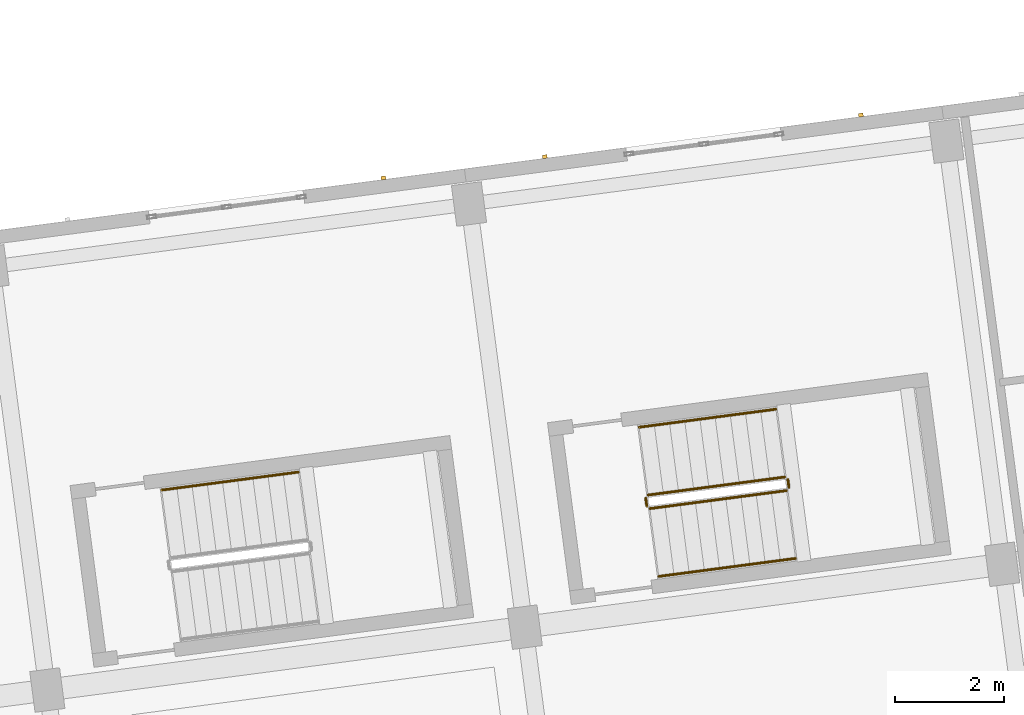
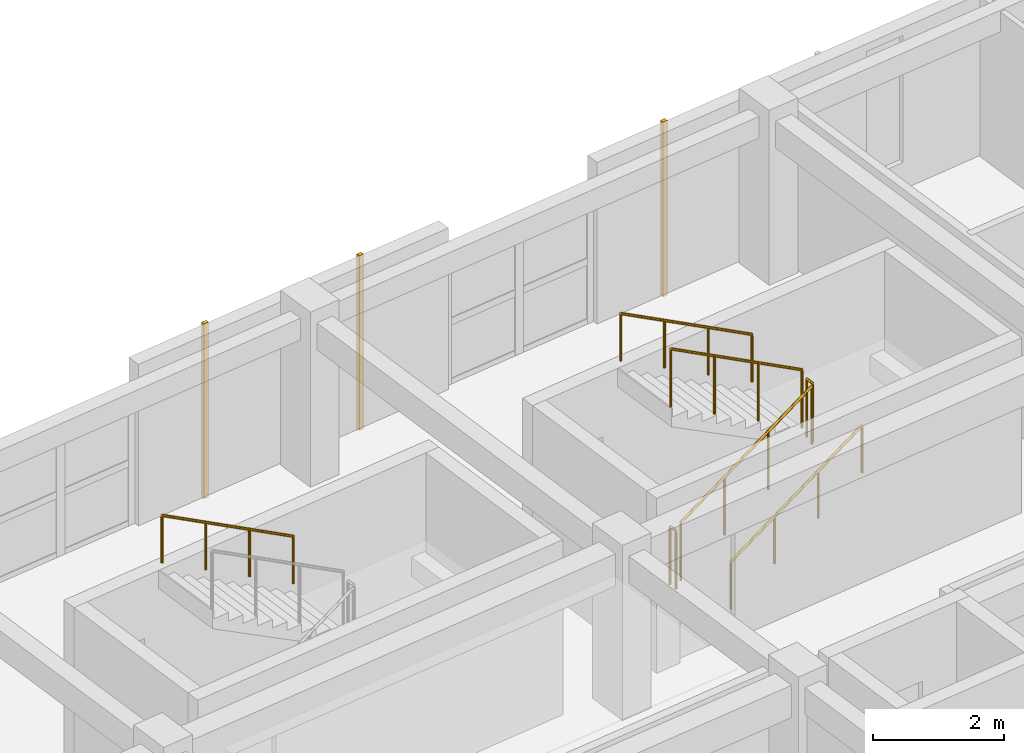
# One storey, part 107 of 127: 7 railings, 3 coverings.
"""IFC4 building model written with IfcOpenShell, lengths in metres."""

from ifc_helpers import new_model, si_unit, direction, frame, origin, origin_2d, place, context, subcontext, project, spatial, rectangle, circle, extrude, material, layer, layer_set, type_object, element, save


model = new_model("IFC4")

# Units and contexts
model_context = context("Model", 3, precision=1e-05, world=origin(), true_north=direction((0.0, 1.0)))
body_context = subcontext(model_context, "Body", "Model", "MODEL_VIEW")
ifc_project = project(units=[si_unit("LENGTHUNIT", "METRE"), si_unit("AREAUNIT", "SQUARE_METRE"), si_unit("VOLUMEUNIT", "CUBIC_METRE"), si_unit("PLANEANGLEUNIT", "RADIAN"), si_unit("MASSUNIT", "GRAM", prefix="KILO")], contexts=[model_context])

# Site, building, storey
site_placement = place(None, origin())
site = spatial("IfcSite", under=ifc_project, at=site_placement, CompositionType="ELEMENT")
building_placement = place(site_placement, origin())
building = spatial("IfcBuilding", under=site, at=building_placement, Name="Kestramere Prow Commons", CompositionType="ELEMENT")
storey_placement = place(building_placement, frame((0.0, 0.0, 8.39990234375)))
storey = spatial("IfcBuildingStorey", under=building, at=storey_placement, Name="L02", CompositionType="ELEMENT", Elevation=8.39990234375)

# Coverings
ifc_material_1 = material(Name="Weathered Zinc-Titanium Standing-Seam Cladding")
ifc_layer = layer(ifc_material_1, 0.074951171875)
ifc_layer_set = layer_set([ifc_layer], Name="Weathered Zinc-Titanium Standing-Seam Cladding")
covering_type = type_object("IfcCoveringType", Name="COV-CLAD-SEAM", PredefinedType="CLADDING", material=ifc_layer_set)
for number, where, z_axis, x_axis, name in (
    (1, (24.4755859375, 94.603759765625, -0.25), (0.0, 0.0, 1.0), (0.991444861374, 0.13052619222, 0.0), "EW-A-L02-NP-1-R Standing-Seam Rib 1"),
    (2, (27.42529296875, 94.991943359375, -0.25), (0.0, 0.0, 1.0), (0.991444861374, 0.13052619222, 0.0), "EW-A-L02-NP-2-L Standing-Seam Rib 1"),
    (3, (33.200439453125, 95.75244140625, -0.25), (0.0, 0.0, 1.0), (0.991444861374, 0.13052619222, 0.0), "EW-A-L02-NP-2-R Standing-Seam Rib 1"),
):
    element("IfcCovering", number, at=place(storey_placement, frame(where, z_axis=z_axis, x_axis=x_axis)), inside=storey, type_object=covering_type, Name=name, PredefinedType="CLADDING", context=body_context, shape_type="SweptSolid", body=[
        extrude(rectangle(XDim=0.0849609375, YDim=0.06494140625, at=origin_2d()), origin(), (0.0, 0.0, 1.0), 3.25),
    ])

# Railings
ifc_material_2 = material(Name="Galvanised Steel S275JR", Category="steel")
railing_type_1 = type_object("IfcRailingType", Name="RL-ST-GR-1100", PredefinedType="GUARDRAIL", material=ifc_material_2)
railing_1_placement = place(storey_placement, frame((29.34375, 88.559814453125, 0.16259765625)))
element("IfcRailing", 4, at=railing_1_placement, inside=storey, type_object=railing_type_1, Name="L02 ST-A2 stair guard 1", PredefinedType="GUARDRAIL", context=body_context, shape_type="SweptSolid", body=[
    extrude(circle(Radius=0.02392578125, at=origin_2d()), frame((0.0, 0.0, 1.076171875), z_axis=(0.857492745196, 0.112958098361, 0.501942885148), x_axis=(-0.130602379397, 0.991434828164, 0.0)), (0.0, 0.0, 1.0), 2.91357421875),
    extrude(circle(Radius=0.02099609375, at=origin_2d()), origin(), (0.0, 0.0, 1.0), 1.052001953125),
    extrude(circle(Radius=0.02099609375, at=origin_2d()), frame((0.832763671875, 0.109619140625, 0.487548828125)), (0.0, 0.0, 1.0), 1.052001953125),
    extrude(circle(Radius=0.02099609375, at=origin_2d()), frame((1.66552734375, 0.219482421875, 0.974853515625)), (0.0, 0.0, 1.0), 1.052001953125),
    extrude(circle(Radius=0.02099609375, at=origin_2d()), frame((2.498291015625, 0.3291015625, 1.46240234375)), (0.0, 0.0, 1.0), 1.052001953125),
])
railing_2_placement = place(storey_placement, frame((31.88525390625, 88.94482421875, 1.625)))
element("IfcRailing", 5, at=railing_2_placement, inside=storey, type_object=railing_type_1, Name="L02 ST-A2 stair guard 2", PredefinedType="GUARDRAIL", context=body_context, shape_type="SweptSolid", body=[
    extrude(circle(Radius=0.02392578125, at=origin_2d()), frame((0.0, 0.0, 1.076171875), z_axis=(-0.1300340368, 0.991509530601, 0.0), x_axis=(-0.991509530601, -0.1300340368, 0.0)), (0.0, 0.0, 1.0), 0.150146484375),
    extrude(circle(Radius=0.02099609375, at=origin_2d()), origin(), (0.0, 0.0, 1.0), 1.052001953125),
    extrude(circle(Radius=0.02099609375, at=origin_2d()), frame((-0.01953125, 0.14892578125, 0.0)), (0.0, 0.0, 1.0), 1.052001953125),
])
railing_3_placement = place(storey_placement, frame((31.8095703125, 89.13671875, 1.78759765625)))
element("IfcRailing", 6, at=railing_3_placement, inside=storey, type_object=railing_type_1, Name="L02 ST-A2 stair guard 3", PredefinedType="GUARDRAIL", context=body_context, shape_type="SweptSolid", body=[
    extrude(circle(Radius=0.02392578125, at=origin_2d()), frame((0.0, 0.0, 1.076171875), z_axis=(-0.85752303711, -0.112867259233, 0.501911568525), x_axis=(0.130494608992, -0.991449018873, 0.0)), (0.0, 0.0, 1.0), 2.91357421875),
    extrude(circle(Radius=0.02099609375, at=origin_2d()), origin(), (0.0, 0.0, 1.0), 1.052001953125),
    extrude(circle(Radius=0.02099609375, at=origin_2d()), frame((-0.832763671875, -0.109619140625, 0.487548828125)), (0.0, 0.0, 1.0), 1.052001953125),
    extrude(circle(Radius=0.02099609375, at=origin_2d()), frame((-1.665771484375, -0.21923828125, 0.974853515625)), (0.0, 0.0, 1.0), 1.052001953125),
    extrude(circle(Radius=0.02099609375, at=origin_2d()), frame((-2.49853515625, -0.328857421875, 1.46240234375)), (0.0, 0.0, 1.0), 1.052001953125),
])
railing_4_placement = place(storey_placement, frame((29.28759765625, 88.60302734375, 0.0)))
element("IfcRailing", 7, at=railing_4_placement, inside=storey, type_object=railing_type_1, Name="L02 ST-A2 stair guard 4", PredefinedType="GUARDRAIL", context=body_context, shape_type="SweptSolid", body=[
    extrude(circle(Radius=0.02392578125, at=origin_2d()), frame((0.0, 0.0, 1.076171875), z_axis=(-0.130243938252, 0.991481979941, 0.0), x_axis=(-0.991481979941, -0.130243938252, 0.0)), (0.0, 0.0, 1.0), 0.14990234375),
    extrude(circle(Radius=0.02099609375, at=origin_2d()), origin(), (0.0, 0.0, 1.0), 1.052001953125),
    extrude(circle(Radius=0.02099609375, at=origin_2d()), frame((-0.01953125, 0.148681640625, 0.0)), (0.0, 0.0, 1.0), 1.052001953125),
])
ifc_material_3 = material(Name="Stainless Steel 304", Category="steel")
railing_type_2 = type_object("IfcRailingType", Name="RL-ST-HR-900", PredefinedType="HANDRAIL", material=ifc_material_3)
railing_5_placement = place(storey_placement, frame((22.921630859375, 89.227294921875, 1.9501953125)))
element("IfcRailing", 8, at=railing_5_placement, inside=storey, type_object=railing_type_2, Name="L02 ST-A1 stair handrail 2", PredefinedType="HANDRAIL", context=body_context, shape_type="SweptSolid", body=[
    extrude(circle(Radius=0.02392578125, at=origin_2d()), frame((0.0, 0.0, 0.8759765625), z_axis=(-0.85752303711, -0.112867259233, 0.501911568525), x_axis=(0.130494608992, -0.991449018873, 0.0)), (0.0, 0.0, 1.0), 2.91357421875),
    extrude(circle(Radius=0.02099609375, at=origin_2d()), origin(), (0.0, 0.0, 1.0), 0.851806640625),
    extrude(circle(Radius=0.02099609375, at=origin_2d()), frame((-0.832763671875, -0.109619140625, 0.487548828125)), (0.0, 0.0, 1.0), 0.851806640625),
    extrude(circle(Radius=0.02099609375, at=origin_2d()), frame((-1.665771484375, -0.21923828125, 0.974853515625)), (0.0, 0.0, 1.0), 0.851806640625),
    extrude(circle(Radius=0.02099609375, at=origin_2d()), frame((-2.49853515625, -0.328857421875, 1.46240234375)), (0.0, 0.0, 1.0), 0.851806640625),
])
railing_6_placement = place(storey_placement, frame((29.5068359375, 87.320556640625, 0.3251953125)))
element("IfcRailing", 9, at=railing_6_placement, inside=storey, type_object=railing_type_2, Name="L02 ST-A2 stair handrail 1", PredefinedType="HANDRAIL", context=body_context, shape_type="SweptSolid", body=[
    extrude(circle(Radius=0.02392578125, at=origin_2d()), frame((0.0, 0.0, 0.8759765625), z_axis=(0.85752303711, 0.112867259233, 0.501911568525), x_axis=(-0.130494608992, 0.991449018873, 0.0)), (0.0, 0.0, 1.0), 2.91357421875),
    extrude(circle(Radius=0.02099609375, at=origin_2d()), origin(), (0.0, 0.0, 1.0), 0.851806640625),
    extrude(circle(Radius=0.02099609375, at=origin_2d()), frame((0.832763671875, 0.109619140625, 0.487548828125)), (0.0, 0.0, 1.0), 0.851806640625),
    extrude(circle(Radius=0.02099609375, at=origin_2d()), frame((1.665771484375, 0.21923828125, 0.974853515625)), (0.0, 0.0, 1.0), 0.851806640625),
    extrude(circle(Radius=0.02099609375, at=origin_2d()), frame((2.49853515625, 0.328857421875, 1.46240234375)), (0.0, 0.0, 1.0), 0.851806640625),
])
railing_7_placement = place(storey_placement, frame((31.646484375, 90.3759765625, 1.9501953125)))
element("IfcRailing", 10, at=railing_7_placement, inside=storey, type_object=railing_type_2, Name="L02 ST-A2 stair handrail 2", PredefinedType="HANDRAIL", context=body_context, shape_type="SweptSolid", body=[
    extrude(circle(Radius=0.02392578125, at=origin_2d()), frame((0.0, 0.0, 0.8759765625), z_axis=(-0.85752303711, -0.112867259233, 0.501911568525), x_axis=(0.130494608992, -0.991449018873, 0.0)), (0.0, 0.0, 1.0), 2.91357421875),
    extrude(circle(Radius=0.02099609375, at=origin_2d()), origin(), (0.0, 0.0, 1.0), 0.851806640625),
    extrude(circle(Radius=0.02099609375, at=origin_2d()), frame((-0.832763671875, -0.109619140625, 0.487548828125)), (0.0, 0.0, 1.0), 0.851806640625),
    extrude(circle(Radius=0.02099609375, at=origin_2d()), frame((-1.665771484375, -0.21923828125, 0.974853515625)), (0.0, 0.0, 1.0), 0.851806640625),
    extrude(circle(Radius=0.02099609375, at=origin_2d()), frame((-2.49853515625, -0.328857421875, 1.46240234375)), (0.0, 0.0, 1.0), 0.851806640625),
])

save(model, "model.ifc")
